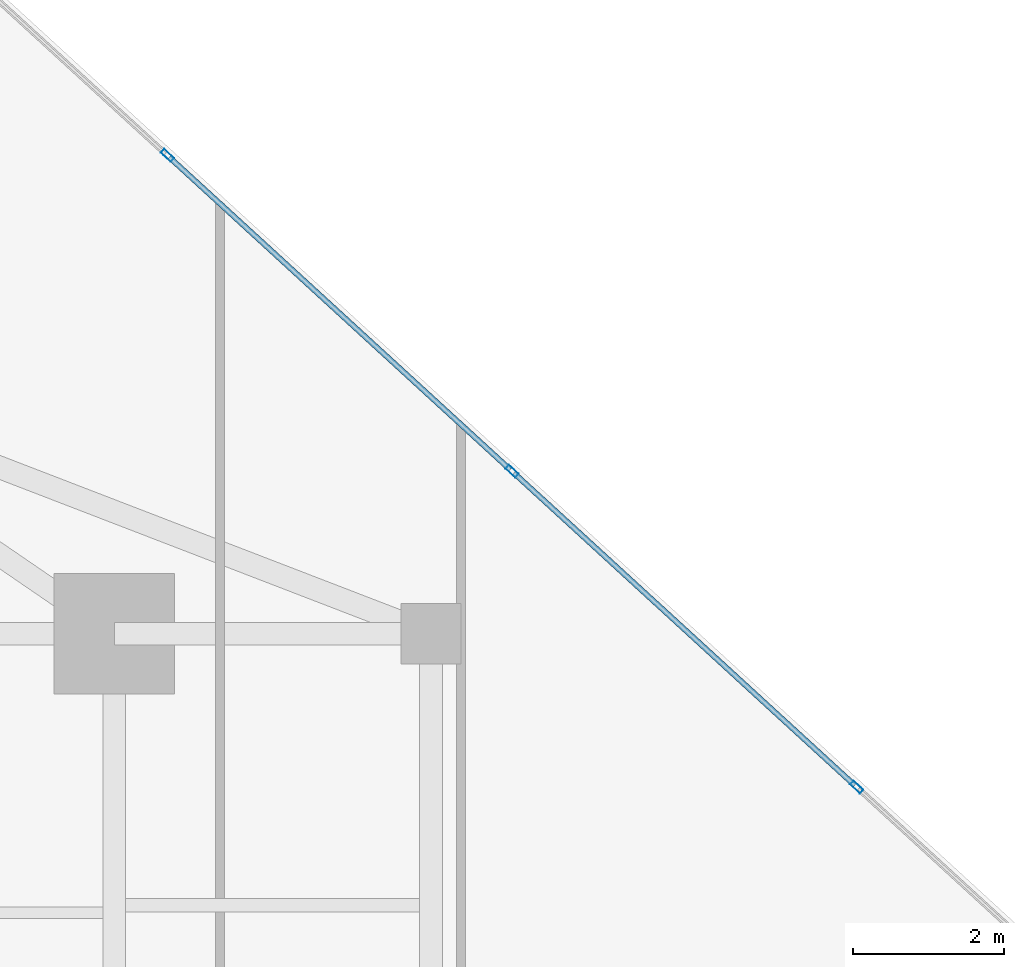
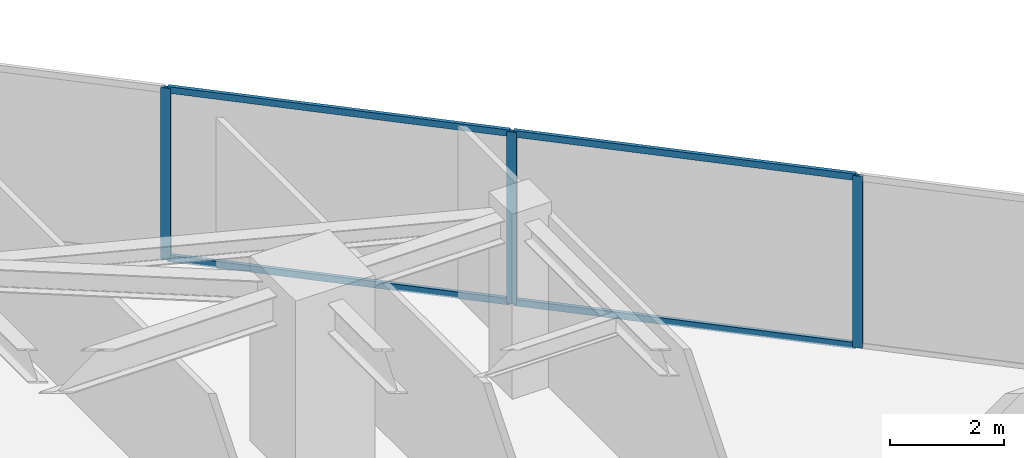
# One storey, part 19 of 26: 7 members, 1 element without a shape of its own.
"""IFC4 building model written with IfcOpenShell, lengths in metres."""

from ifc_helpers import new_model, si_unit, direction, frame, origin, origin_2d, place, context, subcontext, project, spatial, hollow_rectangle, extrude, source, transform, mapped, material, material_profile, profile_set, type_object, type_shapes, element, aggregate, save


model = new_model("IFC4")

# Units and contexts
model_context = context("Model", 3, precision=1e-05, world=origin(), true_north=direction((0.0, 1.0)))
body_context = subcontext(model_context, "Body", "Model", "MODEL_VIEW")
ifc_project = project(units=[si_unit("LENGTHUNIT", "METRE"), si_unit("AREAUNIT", "SQUARE_METRE"), si_unit("VOLUMEUNIT", "CUBIC_METRE"), si_unit("PLANEANGLEUNIT", "RADIAN"), si_unit("MASSUNIT", "GRAM", prefix="KILO")], contexts=[model_context])

# Site, building, storey
site_placement = place(None, origin())
site = spatial("IfcSite", under=ifc_project, at=site_placement, CompositionType="ELEMENT")
building_placement = place(site_placement, origin())
building = spatial("IfcBuilding", under=site, at=building_placement, Name="Krantzveldt Concourse Tower", CompositionType="ELEMENT")
storey_placement = place(building_placement, frame((0.0, 0.0, 223.10009765625)))
storey = spatial("IfcBuildingStorey", under=building, at=storey_placement, Name="L54", CompositionType="ELEMENT", Elevation=223.10009765625)

# Curtain wall, members
ifc_material = material(Name="Anodised aluminium 6063-T6", Category="aluminium")
curtain_wall_type = type_object("IfcCurtainWallType", Name="CW3", PredefinedType="USERDEFINED", material=ifc_material)
curtain_wall_placement = place(storey_placement, origin())
curtain_wall = element("IfcCurtainWall", 1, at=curtain_wall_placement, inside=storey, type_object=curtain_wall_type, Name="CW-L54-F14", ObjectType="UNITISED CURTAIN WALL", PredefinedType="USERDEFINED")
ifc_material_profile_1 = material_profile(ifc_material, hollow_rectangle(XDim=0.070068359375, YDim=0.179931640625, WallThickness=0.0048828125, at=origin_2d()), Name="Anodised aluminium 6063-T6", Category="aluminium")
ifc_profile_set_1 = profile_set([ifc_material_profile_1], Name="Anodised aluminium 6063-T6 - ALU-MULL 180x70x5")
member_type_1 = type_object("IfcMemberType", Name="CW-MUL-180", PredefinedType="MULLION", material=ifc_profile_set_1)
shared_shape_1 = source(origin(), body_context, "Body", "SweptSolid", [
    extrude(hollow_rectangle(XDim=0.070068359375, YDim=0.179931640625, WallThickness=0.0048828125, at=origin_2d()), origin(), (0.0, 0.0, 1.0), 3.669921875),
])
type_shapes(member_type_1, [shared_shape_1])
member_1_placement = place(storey_placement, frame((56.6455078125, 35.46484375, 0.0), z_axis=(0.0, 0.0, 1.0), x_axis=(-0.675590053651, -0.737277477893, 0.0)))
member_1 = element("IfcMember", 2, at=member_1_placement, type_object=member_type_1, Name="CW-Z34 mullion 2", PredefinedType="MULLION", context=body_context, shape_type="MappedRepresentation", body=[
    mapped(shared_shape_1, transform((0.0, 0.0, 0.0), x_axis=(1.0, 0.0, 0.0), y_axis=(0.0, 1.0, 0.0), z_axis=(0.0, 0.0, 1.0), scale=1.0)),
])
member_2_placement = place(storey_placement, frame((52.074462890625, 39.653564453125, 0.0), z_axis=(0.0, 0.0, 1.0), x_axis=(-0.675590053651, -0.737277477893, 0.0)))
member_2 = element("IfcMember", 3, at=member_2_placement, type_object=member_type_1, Name="CW-Z34 mullion 3", PredefinedType="MULLION", context=body_context, shape_type="MappedRepresentation", body=[
    mapped(shared_shape_1, transform((0.0, 0.0, 0.0), x_axis=(1.0, 0.0, 0.0), y_axis=(0.0, 1.0, 0.0), z_axis=(0.0, 0.0, 1.0), scale=1.0)),
])
member_3_placement = place(storey_placement, frame((47.503173828125, 43.84228515625, 0.0), z_axis=(0.0, 0.0, 1.0), x_axis=(-0.675590053651, -0.737277477893, 0.0)))
member_3 = element("IfcMember", 4, at=member_3_placement, type_object=member_type_1, Name="CW-Z34 mullion 4", PredefinedType="MULLION", context=body_context, shape_type="MappedRepresentation", body=[
    mapped(shared_shape_1, transform((0.0, 0.0, 0.0), x_axis=(1.0, 0.0, 0.0), y_axis=(0.0, 1.0, 0.0), z_axis=(0.0, 0.0, 1.0), scale=1.0)),
])
ifc_material_profile_2 = material_profile(ifc_material, hollow_rectangle(XDim=0.070068359375, YDim=0.139892578125, WallThickness=0.0048828125, at=origin_2d()), Name="Anodised aluminium 6063-T6", Category="aluminium")
ifc_profile_set_2 = profile_set([ifc_material_profile_2], Name="Anodised aluminium 6063-T6 - ALU-TRAN 140x70x5")
member_type_2 = type_object("IfcMemberType", Name="CW-TRN-150", PredefinedType="USERDEFINED", material=ifc_profile_set_2)
shared_shape_2 = source(origin(), body_context, "Body", "SweptSolid", [
    extrude(hollow_rectangle(XDim=0.070068359375, YDim=0.139892578125, WallThickness=0.0048828125, at=origin_2d()), origin(), (0.0, 0.0, 1.0), 6.130126953125),
])
type_shapes(member_type_2, [shared_shape_2])
member_4_placement = place(storey_placement, frame((56.61962890625, 35.488525390625, 0.034912109375), z_axis=(-0.737279770771, 0.675587551404, 0.0), x_axis=(-0.675587551404, -0.737279770771, 0.0)))
member_4 = element("IfcMember", 5, at=member_4_placement, type_object=member_type_2, Name="CW-Z34 transom 2.1", ObjectType="TRANSOM", PredefinedType="USERDEFINED", context=body_context, shape_type="MappedRepresentation", body=[
    mapped(shared_shape_2, transform((0.0, 0.0, 0.0), x_axis=(1.0, 0.0, 0.0), y_axis=(0.0, 1.0, 0.0), z_axis=(0.0, 0.0, 1.0), scale=1.0)),
])
member_5_placement = place(storey_placement, frame((56.61962890625, 35.488525390625, 3.635009765625), z_axis=(-0.737279770771, 0.675587551404, 0.0), x_axis=(-0.675587551404, -0.737279770771, 0.0)))
member_5 = element("IfcMember", 6, at=member_5_placement, type_object=member_type_2, Name="CW-Z34 transom 2.2", ObjectType="TRANSOM", PredefinedType="USERDEFINED", context=body_context, shape_type="MappedRepresentation", body=[
    mapped(shared_shape_2, transform((0.0, 0.0, 0.0), x_axis=(1.0, 0.0, 0.0), y_axis=(0.0, 1.0, 0.0), z_axis=(0.0, 0.0, 1.0), scale=1.0)),
])
member_6_placement = place(storey_placement, frame((52.048583984375, 39.67724609375, 0.034912109375), z_axis=(-0.737279770771, 0.675587551404, 0.0), x_axis=(-0.675587551404, -0.737279770771, 0.0)))
member_6 = element("IfcMember", 7, at=member_6_placement, type_object=member_type_2, Name="CW-Z34 transom 3.1", ObjectType="TRANSOM", PredefinedType="USERDEFINED", context=body_context, shape_type="MappedRepresentation", body=[
    mapped(shared_shape_2, transform((0.0, 0.0, 0.0), x_axis=(1.0, 0.0, 0.0), y_axis=(0.0, 1.0, 0.0), z_axis=(0.0, 0.0, 1.0), scale=1.0)),
])
member_7_placement = place(storey_placement, frame((52.048583984375, 39.67724609375, 3.635009765625), z_axis=(-0.737279770771, 0.675587551404, 0.0), x_axis=(-0.675587551404, -0.737279770771, 0.0)))
member_7 = element("IfcMember", 8, at=member_7_placement, type_object=member_type_2, Name="CW-Z34 transom 3.2", ObjectType="TRANSOM", PredefinedType="USERDEFINED", context=body_context, shape_type="MappedRepresentation", body=[
    mapped(shared_shape_2, transform((0.0, 0.0, 0.0), x_axis=(1.0, 0.0, 0.0), y_axis=(0.0, 1.0, 0.0), z_axis=(0.0, 0.0, 1.0), scale=1.0)),
])
aggregate(curtain_wall, [member_1, member_2, member_3, member_4, member_5, member_6, member_7])

save(model, "model.ifc")
